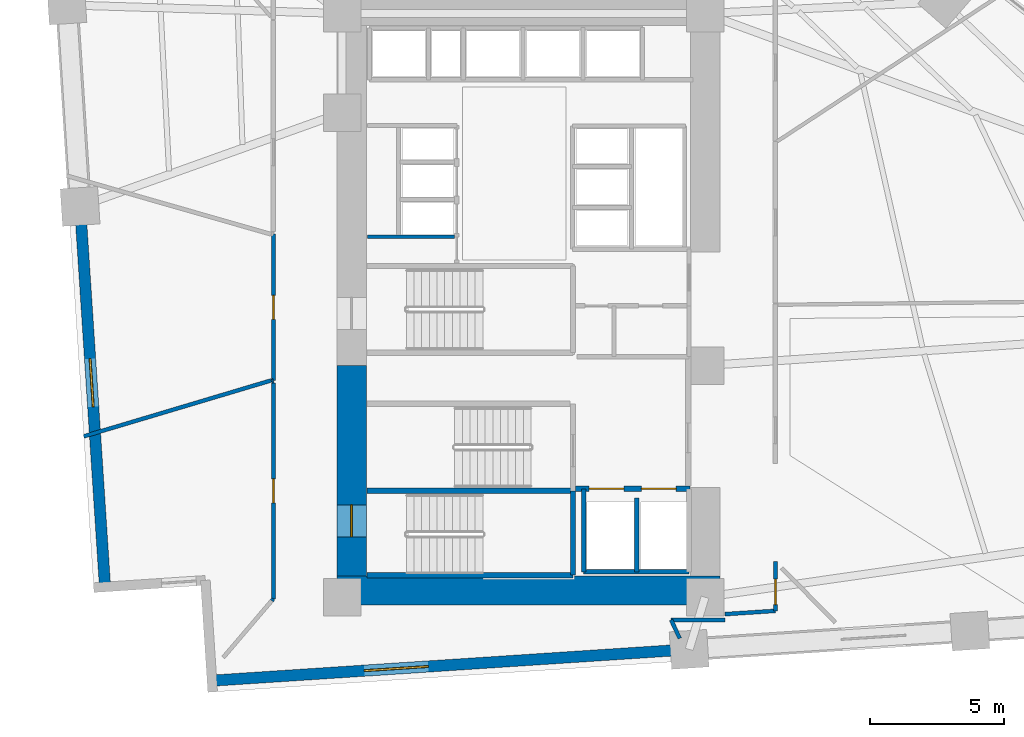
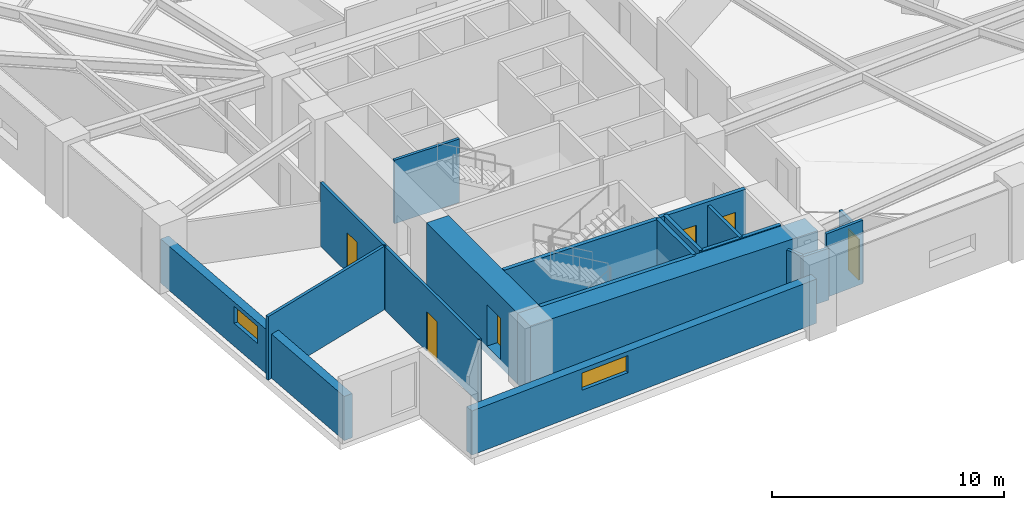
# One storey, part 12 of 17: 21 walls, 6 doors, 2 windows, 8 openings.
"""IFC4 building model written with IfcOpenShell, lengths in metres."""

from ifc_helpers import new_model, si_unit, direction, frame, frame_2d, origin, place, context, subcontext, project, spatial, rectangle, extrude, material, layer, layer_set, type_object, element, fill, save


model = new_model("IFC4")

# Units and contexts
model_context = context("Model", 3, precision=1e-05, world=origin(), true_north=direction((0.0, 1.0)))
body_context = subcontext(model_context, "Body", "Model", "MODEL_VIEW")
ifc_project = project(units=[si_unit("LENGTHUNIT", "METRE"), si_unit("AREAUNIT", "SQUARE_METRE"), si_unit("VOLUMEUNIT", "CUBIC_METRE"), si_unit("PLANEANGLEUNIT", "RADIAN"), si_unit("MASSUNIT", "GRAM", prefix="KILO")], contexts=[model_context])

# Site, building, storey
site_placement = place(None, origin())
site = spatial("IfcSite", under=ifc_project, at=site_placement, CompositionType="ELEMENT")
building_placement = place(site_placement, origin())
building = spatial("IfcBuilding", under=site, at=building_placement, Name="Narakoshi Arena Tower", CompositionType="ELEMENT")
storey_placement = place(building_placement, frame((0.0, 0.0, 63.300048828125)))
storey = spatial("IfcBuildingStorey", under=building, at=storey_placement, Name="L16", CompositionType="ELEMENT", Elevation=63.300048828125)

# Wall, opening, door
ifc_material_1 = material(Name="Concrete C60/75", Category="concrete")
ifc_layer_1 = layer(ifc_material_1, 1.10009765625)
ifc_layer_set_1 = layer_set([ifc_layer_1], Name="Concrete C60/75")
wall_type_1 = type_object("IfcWallType", Name="WL-CORE-1100", PredefinedType="SHEAR", material=ifc_layer_set_1)
wall_1_placement = place(storey_placement, frame((72.35009765625, 35.5, -0.400146484375), z_axis=(0.0, 0.0, 1.0), x_axis=(0.0, 1.0, 0.0)))
wall_1 = element("IfcWall", 1, at=wall_1_placement, inside=storey, type_object=wall_type_1, Name="L16 Central Core Shear Wall CW-APX-W", PredefinedType="SHEAR", context=body_context, shape_type="SweptSolid", body=[
    extrude(rectangle(XDim=7.85009765625, YDim=1.10009765625, at=frame_2d((3.925048828125, 0.0))), origin(), (0.0, 0.0, 1.0), 3.739990234375),
])
opening_1_placement = place(wall_1_placement, frame((1.449951171875, 0.0, 0.39990234375)))
opening_1 = element("IfcOpeningElement", 2, at=opening_1_placement, cuts=wall_1, Name="Opening D-03", PredefinedType="OPENING", context=body_context, shape_type="SweptSolid", body=[
    extrude(rectangle(XDim=1.199951171875, YDim=2.199951171875, at=frame_2d((0.60009765625, 1.10009765625))), frame((0.0, 0.56005859375, 0.0), z_axis=(0.0, -1.0, 0.0), x_axis=(1.0, 0.0, 0.0)), (0.0, 0.0, 1.0), 1.1201171875),
])
ifc_material_2 = material(Name="Painted galvanized steel", Category="steel")
door_type_1 = type_object("IfcDoorType", Name="DR-STR-1200", OperationType="NOTDEFINED", PredefinedType="USERDEFINED", material=ifc_material_2)
door_1_placement = place(opening_1_placement, frame((1.199951171875, 0.0, 0.0), z_axis=(0.0, 0.0, 1.0), x_axis=(-1.0, 0.0, 0.0)))
door_1 = element("IfcDoor", 3, at=door_1_placement, inside=storey, type_object=door_type_1, Name="DR-L16-001", ObjectType="EXITDOOR", OperationType="SINGLE_SWING_LEFT", OverallHeight=2.199951171875, OverallWidth=1.199951171875, PredefinedType="USERDEFINED", context=body_context, shape_type="SweptSolid", body=[
    extrude(rectangle(XDim=1.199951171875, YDim=2.199951171875, at=frame_2d((0.60009765625, 1.10009765625))), frame((0.0, 0.02490234375, 0.0), z_axis=(0.0, -1.0, 0.0), x_axis=(1.0, 0.0, 0.0)), (0.0, 0.0, 1.0), 0.050048828125),
])
fill(opening_1, door_1)

# Wall
wall_2_placement = place(storey_placement, frame((71.800048828125, 34.949951171875, -0.400146484375), z_axis=(0.0, 0.0, 1.0), x_axis=(1.0, 0.0, 0.0)))
element("IfcWall", 4, at=wall_2_placement, inside=storey, type_object=wall_type_1, Name="L16 Central Core Shear Wall CW-APX-S", PredefinedType="SHEAR", context=body_context, shape_type="SweptSolid", body=[
    extrude(rectangle(XDim=14.300048828125, YDim=1.10009765625, at=frame_2d((7.14990234375, 0.0))), origin(), (0.0, 0.0, 1.0), 3.739990234375),
])

# Wall, opening, window
ifc_material_3 = material(Name="Precast concrete C45/55", Category="concrete")
ifc_layer_2 = layer(ifc_material_3, 0.419921875)
ifc_layer_set_2 = layer_set([ifc_layer_2], Name="Precast concrete C45/55")
wall_type_2 = type_object("IfcWallType", Name="WL-POD-420", PredefinedType="SOLIDWALL", material=ifc_layer_set_2)
wall_3_placement = place(storey_placement, frame((67.133056640625, 31.582763671875, 0.0), z_axis=(0.0, 0.0, 1.0), x_axis=(0.997859040617, 0.065401338356, 0.0)))
wall_3 = element("IfcWall", 5, at=wall_3_placement, inside=storey, type_object=wall_type_2, Name="L16 Architectural Concrete Facade Wall LEGA-1", PredefinedType="SOLIDWALL", context=body_context, shape_type="SweptSolid", body=[
    extrude(rectangle(XDim=17.8623046875, YDim=0.419921875, at=frame_2d((8.93115234375, 0.0))), origin(), (0.0, 0.0, 1.0), 2.324951171875),
])
opening_2_placement = place(wall_3_placement, frame((5.699951171875, 0.0, 1.199951171875)))
opening_2 = element("IfcOpeningElement", 6, at=opening_2_placement, cuts=wall_3, Name="Opening WN-01", PredefinedType="OPENING", context=body_context, shape_type="SweptSolid", body=[
    extrude(rectangle(XDim=2.39990234375, YDim=0.89990234375, at=frame_2d((1.199951171875, 0.449951171875))), frame((0.0, 0.219970703125, 0.0), z_axis=(0.0, -1.0, 0.0), x_axis=(1.0, 0.0, 0.0)), (0.0, 0.0, 1.0), 0.43994140625),
])
ifc_material_4 = material(Name="Bronze-tinted low-E laminated glass", Category="glass")
window_type_1 = type_object("IfcWindowType", Name="WIN-SLT-24x09", PartitioningType="SINGLE_PANEL", PredefinedType="WINDOW", material=ifc_material_4)
window_1_placement = place(opening_2_placement, origin())
window_1 = element("IfcWindow", 7, at=window_1_placement, inside=storey, type_object=window_type_1, Name="L16 LEGA1 Horizontal Slot Window 1", OverallHeight=0.89990234375, OverallWidth=2.39990234375, PartitioningType="SINGLE_PANEL", PredefinedType="WINDOW", context=body_context, shape_type="SweptSolid", body=[
    extrude(rectangle(XDim=2.39990234375, YDim=0.89990234375, at=frame_2d((1.199951171875, 0.449951171875))), frame((0.0, 0.030029296875, 0.0), z_axis=(0.0, -1.0, 0.0), x_axis=(1.0, 0.0, 0.0)), (0.0, 0.0, 1.0), 0.06005859375),
])
fill(opening_2, window_1)

wall_4_placement = place(storey_placement, frame((62.210205078125, 49.294921875, 0.0), z_axis=(0.0, 0.0, 1.0), x_axis=(0.065396027757, -0.997859388668, 0.0)))
wall_4 = element("IfcWall", 8, at=wall_4_placement, inside=storey, type_object=wall_type_2, Name="L16 Architectural Concrete Facade Wall LEGB-3", PredefinedType="SOLIDWALL", context=body_context, shape_type="SweptSolid", body=[
    extrude(rectangle(XDim=14.242431640625, YDim=0.419921875, at=frame_2d((7.12109375, 0.0))), origin(), (0.0, 0.0, 1.0), 2.324951171875),
])
opening_3_placement = place(wall_4_placement, frame((5.699951171875, 0.0, 1.199951171875)))
opening_3 = element("IfcOpeningElement", 9, at=opening_3_placement, cuts=wall_4, Name="Opening WN-02", PredefinedType="OPENING", context=body_context, shape_type="SweptSolid", body=[
    extrude(rectangle(XDim=1.800048828125, YDim=0.89990234375, at=frame_2d((0.89990234375, 0.449951171875))), frame((0.0, 0.219970703125, 0.0), z_axis=(0.0, -1.0, 0.0), x_axis=(1.0, 0.0, 0.0)), (0.0, 0.0, 1.0), 0.43994140625),
])
window_type_2 = type_object("IfcWindowType", Name="WIN-SLT-18x09", PartitioningType="SINGLE_PANEL", PredefinedType="WINDOW", material=ifc_material_4)
window_2_placement = place(opening_3_placement, origin())
window_2 = element("IfcWindow", 10, at=window_2_placement, inside=storey, type_object=window_type_2, Name="L16 LEGB3 Horizontal Slot Window 1", OverallHeight=0.89990234375, OverallWidth=1.800048828125, PartitioningType="SINGLE_PANEL", PredefinedType="WINDOW", context=body_context, shape_type="SweptSolid", body=[
    extrude(rectangle(XDim=1.800048828125, YDim=0.89990234375, at=frame_2d((0.89990234375, 0.449951171875))), frame((0.0, 0.030029296875, 0.0), z_axis=(0.0, -1.0, 0.0), x_axis=(1.0, 0.0, 0.0)), (0.0, 0.0, 1.0), 0.06005859375),
])
fill(opening_3, window_2)

# Walls
ifc_material_5 = material(Name="Concrete C40/50", Category="concrete")
ifc_layer_3 = layer(ifc_material_5, 0.280029296875)
ifc_layer_set_3 = layer_set([ifc_layer_3], Name="Concrete C40/50")
wall_type_3 = type_object("IfcWallType", Name="WL-RISER-280", PredefinedType="PLUMBINGWALL", material=ifc_layer_set_3)
wall_5_placement = place(storey_placement, frame((83.0, 35.64990234375, 0.0), z_axis=(0.0, 0.0, 1.0), x_axis=(0.0, 1.0, 0.0)))
element("IfcWall", 11, at=wall_5_placement, inside=storey, type_object=wall_type_3, Name="L16 Core Wall FF-DIV", PredefinedType="PLUMBINGWALL", context=body_context, shape_type="SweptSolid", body=[
    extrude(rectangle(XDim=2.75, YDim=0.159912109375, at=frame_2d((1.375, 0.0))), origin(), (0.0, 0.0, 1.0), 3.33984375),
])
wall_6_placement = place(storey_placement, frame((72.949951171875, 48.159912109375, 0.0), z_axis=(0.0, 0.0, 1.0), x_axis=(1.0, 0.0, 0.0)))
element("IfcWall", 12, at=wall_6_placement, inside=storey, type_object=wall_type_3, Name="L16 Core Wall LR-S0", PredefinedType="PLUMBINGWALL", context=body_context, shape_type="SweptSolid", body=[
    extrude(rectangle(XDim=3.239990234375, YDim=0.139892578125, at=frame_2d((1.6201171875, 0.0))), origin(), (0.0, 0.0, 1.0), 3.33984375),
])
ifc_material_6 = material(Name="Concrete C50/60", Category="concrete")
ifc_layer_4 = layer(ifc_material_6, 0.35009765625)
ifc_layer_set_4 = layer_set([ifc_layer_4], Name="Concrete C50/60")
wall_type_4 = type_object("IfcWallType", Name="WL-SHAFT-350", PredefinedType="SOLIDWALL", material=ifc_layer_set_4)
for number, where, z_axis, x_axis, name in (
    (13, (72.919921875, 35.52001953125, -0.400146484375), (0.0, 0.0, 1.0), (1.0, 0.0, 0.0), "L16 Core Wall ST1-S"),
    (14, (72.919921875, 38.675048828125, -0.400146484375), (0.0, 0.0, 1.0), (1.0, 0.0, 0.0), "L16 Core Wall ST12-DIV"),
):
    element("IfcWall", number, at=place(storey_placement, frame(where, z_axis=z_axis, x_axis=x_axis)), inside=storey, type_object=wall_type_4, Name=name, PredefinedType="SOLIDWALL", context=body_context, shape_type="SweptSolid", body=[
        extrude(rectangle(XDim=7.7001953125, YDim=0.199951171875, at=frame_2d((3.85009765625, 0.0))), origin(), (0.0, 0.0, 1.0), 3.739990234375),
    ])
wall_7_placement = place(storey_placement, frame((80.6201171875, 35.52001953125, -0.400146484375), z_axis=(0.0, 0.0, 1.0), x_axis=(0.0, 1.0, 0.0)))
element("IfcWall", 15, at=wall_7_placement, inside=storey, type_object=wall_type_4, Name="L16 Core Wall ST1-E", PredefinedType="SOLIDWALL", context=body_context, shape_type="SweptSolid", body=[
    extrude(rectangle(XDim=3.155029296875, YDim=0.199951171875, at=frame_2d((1.57763671875, 0.0))), origin(), (0.0, 0.0, 1.0), 3.739990234375),
])

# Wall, openings, doors
wall_8_placement = place(storey_placement, frame((80.719970703125, 38.75, 0.0), z_axis=(0.0, 0.0, 1.0), x_axis=(1.0, 0.0, 0.0)))
wall_8 = element("IfcWall", 16, at=wall_8_placement, inside=storey, type_object=wall_type_4, Name="L16 Core Wall FF-N", PredefinedType="SOLIDWALL", context=body_context, shape_type="SweptSolid", body=[
    extrude(rectangle(XDim=4.260009765625, YDim=0.199951171875, at=frame_2d((2.1298828125, 0.0))), origin(), (0.0, 0.0, 1.0), 3.33984375),
])
opening_4_placement = place(wall_8_placement, frame((0.5, 0.0, 0.0)))
opening_4 = element("IfcOpeningElement", 17, at=opening_4_placement, cuts=wall_8, Name="Opening LD-02", PredefinedType="OPENING", context=body_context, shape_type="SweptSolid", body=[
    extrude(rectangle(XDim=1.300048828125, YDim=2.300048828125, at=frame_2d((0.64990234375, 1.14990234375))), frame((0.0, 0.10986328125, 0.0), z_axis=(0.0, -1.0, 0.0), x_axis=(1.0, 0.0, 0.0)), (0.0, 0.0, 1.0), 0.219970703125),
])
opening_5_placement = place(wall_8_placement, frame((2.449951171875, 0.0, 0.0)))
opening_5 = element("IfcOpeningElement", 18, at=opening_5_placement, cuts=wall_8, Name="Opening LD-02", PredefinedType="OPENING", context=body_context, shape_type="SweptSolid", body=[
    extrude(rectangle(XDim=1.300048828125, YDim=2.300048828125, at=frame_2d((0.64990234375, 1.14990234375))), frame((0.0, 0.10986328125, 0.0), z_axis=(0.0, -1.0, 0.0), x_axis=(1.0, 0.0, 0.0)), (0.0, 0.0, 1.0), 0.219970703125),
])
ifc_material_7 = material(Name="Brushed bronze stainless steel", Category="steel")
door_type_2 = type_object("IfcDoorType", Name="DR-LFT-1300", OperationType="DOUBLE_DOOR_SLIDING", PredefinedType="DOOR", material=ifc_material_7)
door_2_placement = place(opening_4_placement, origin())
door_2 = element("IfcDoor", 19, at=door_2_placement, inside=storey, type_object=door_type_2, Name="DR-L16-003", OperationType="DOUBLE_DOOR_SLIDING", OverallHeight=2.300048828125, OverallWidth=1.300048828125, PredefinedType="DOOR", context=body_context, shape_type="SweptSolid", body=[
    extrude(rectangle(XDim=1.300048828125, YDim=2.300048828125, at=frame_2d((0.64990234375, 1.14990234375))), frame((0.0, 0.02490234375, 0.0), z_axis=(0.0, -1.0, 0.0), x_axis=(1.0, 0.0, 0.0)), (0.0, 0.0, 1.0), 0.050048828125),
])
fill(opening_4, door_2)
door_3_placement = place(opening_5_placement, origin())
door_3 = element("IfcDoor", 20, at=door_3_placement, inside=storey, type_object=door_type_2, Name="DR-L16-004", OperationType="DOUBLE_DOOR_SLIDING", OverallHeight=2.300048828125, OverallWidth=1.300048828125, PredefinedType="DOOR", context=body_context, shape_type="SweptSolid", body=[
    extrude(rectangle(XDim=1.300048828125, YDim=2.300048828125, at=frame_2d((0.64990234375, 1.14990234375))), frame((0.0, 0.02490234375, 0.0), z_axis=(0.0, -1.0, 0.0), x_axis=(1.0, 0.0, 0.0)), (0.0, 0.0, 1.0), 0.050048828125),
])
fill(opening_5, door_3)

# Walls
wall_9_placement = place(storey_placement, frame((81.02001953125, 35.64990234375, 0.0), z_axis=(0.0, 0.0, 1.0), x_axis=(0.0, 1.0, 0.0)))
element("IfcWall", 21, at=wall_9_placement, inside=storey, type_object=wall_type_4, Name="L16 Core Wall FF-W", PredefinedType="SOLIDWALL", context=body_context, shape_type="SweptSolid", body=[
    extrude(rectangle(XDim=3.10009765625, YDim=0.179931640625, at=frame_2d((1.550048828125, 0.0))), origin(), (0.0, 0.0, 1.0), 3.33984375),
])
wall_10_placement = place(storey_placement, frame((81.02001953125, 35.64990234375, 0.0), z_axis=(0.0, 0.0, 1.0), x_axis=(1.0, 0.0, 0.0)))
element("IfcWall", 22, at=wall_10_placement, inside=storey, type_object=wall_type_4, Name="L16 Core Wall FF-S", PredefinedType="SOLIDWALL", context=body_context, shape_type="SweptSolid", body=[
    extrude(rectangle(XDim=3.929931640625, YDim=0.179931640625, at=frame_2d((1.96484375, 0.0))), origin(), (0.0, 0.0, 1.0), 3.33984375),
])

# Wall, opening, door
ifc_material_8 = material(Name="Moisture-resistant cement-board partition")
ifc_layer_5 = layer(ifc_material_8, 0.14501953125)
ifc_layer_set_5 = layer_set([ifc_layer_5], Name="Moisture-resistant cement-board partition")
wall_type_5 = type_object("IfcWallType", Name="WL-WET-145", PredefinedType="PARTITIONING", material=ifc_layer_set_5)
wall_11_placement = place(storey_placement, frame((69.427490234375, 48.2646484375, 0.0), z_axis=(0.0, 0.0, 1.0), x_axis=(0.0, -1.0, 0.0)))
wall_11 = element("IfcWall", 23, at=wall_11_placement, inside=storey, type_object=wall_type_5, Name="L16 Corridor Partition 01-1", PredefinedType="PARTITIONING", context=body_context, shape_type="SweptSolid", body=[
    extrude(rectangle(XDim=5.4794921875, YDim=0.14501953125, at=frame_2d((2.73974609375, 0.0))), origin(), (0.0, 0.0, 1.0), 3.33984375),
])
opening_6_placement = place(wall_11_placement, frame((2.289794921875, 0.0, 0.0)))
opening_6 = element("IfcOpeningElement", 24, at=opening_6_placement, cuts=wall_11, Name="Opening D-08", PredefinedType="OPENING", context=body_context, shape_type="SweptSolid", body=[
    extrude(rectangle(XDim=0.89990234375, YDim=2.10009765625, at=frame_2d((0.449951171875, 1.050048828125))), frame((0.0, 0.08251953125, 0.0), z_axis=(0.0, -1.0, 0.0), x_axis=(1.0, 0.0, 0.0)), (0.0, 0.0, 1.0), 0.1650390625),
])
ifc_material_9 = material(Name="Moisture-resistant laminate timber", Category="wood")
door_type_3 = type_object("IfcDoorType", Name="DR-WC-900", OperationType="NOTDEFINED", PredefinedType="DOOR", material=ifc_material_9)
door_4_placement = place(opening_6_placement, frame((0.89990234375, 0.0, 0.0), z_axis=(0.0, 0.0, 1.0), x_axis=(-1.0, 0.0, 0.0)))
door_4 = element("IfcDoor", 25, at=door_4_placement, inside=storey, type_object=door_type_3, Name="DR-L16-014", OperationType="SINGLE_SWING_RIGHT", OverallHeight=2.10009765625, OverallWidth=0.89990234375, PredefinedType="DOOR", context=body_context, shape_type="SweptSolid", body=[
    extrude(rectangle(XDim=0.89990234375, YDim=2.10009765625, at=frame_2d((0.449951171875, 1.050048828125))), frame((0.0, 0.02490234375, 0.0), z_axis=(0.0, -1.0, 0.0), x_axis=(1.0, 0.0, 0.0)), (0.0, 0.0, 1.0), 0.050048828125),
])
fill(opening_6, door_4)

# Walls
wall_12_placement = place(storey_placement, frame((69.427490234375, 42.78515625, 0.0), z_axis=(0.0, 0.0, 1.0), x_axis=(-0.957611740153, -0.288062068176, 0.0)))
element("IfcWall", 26, at=wall_12_placement, inside=storey, type_object=wall_type_5, Name="L16 Corridor Partition 01-2", PredefinedType="PARTITIONING", context=body_context, shape_type="SweptSolid", body=[
    extrude(rectangle(XDim=0.062744140625, YDim=0.14501953125, at=frame_2d((0.03125, 0.0))), origin(), (0.0, 0.0, 1.0), 3.33984375),
])
wall_13_placement = place(storey_placement, frame((69.343017578125, 42.794921875, 0.0), z_axis=(0.0, 0.0, 1.0), x_axis=(-0.958189050694, -0.286135882282, 0.0)))
element("IfcWall", 27, at=wall_13_placement, inside=storey, type_object=wall_type_5, Name="L16 Inter-Room Partition 01-02", PredefinedType="PARTITIONING", context=body_context, shape_type="SweptSolid", body=[
    extrude(rectangle(XDim=7.301025390625, YDim=0.14501953125, at=frame_2d((3.650390625, 0.0))), origin(), (0.0, 0.0, 1.0), 3.33984375),
])

# Wall, opening, door
wall_14_placement = place(storey_placement, frame((69.427490234375, 42.697021484375, 0.0), z_axis=(0.0, 0.0, 1.0), x_axis=(0.0, -1.0, 0.0)))
wall_14 = element("IfcWall", 28, at=wall_14_placement, inside=storey, type_object=wall_type_5, Name="L16 Corridor Partition 02-1", PredefinedType="PARTITIONING", context=body_context, shape_type="SweptSolid", body=[
    extrude(rectangle(XDim=8.0576171875, YDim=0.14501953125, at=frame_2d((4.02880859375, 0.0))), origin(), (0.0, 0.0, 1.0), 3.33984375),
])
opening_7_placement = place(wall_14_placement, frame((3.57861328125, 0.0, 0.0)))
opening_7 = element("IfcOpeningElement", 29, at=opening_7_placement, cuts=wall_14, Name="Opening D-08", PredefinedType="OPENING", context=body_context, shape_type="SweptSolid", body=[
    extrude(rectangle(XDim=0.89990234375, YDim=2.10009765625, at=frame_2d((0.449951171875, 1.050048828125))), frame((0.0, 0.08251953125, 0.0), z_axis=(0.0, -1.0, 0.0), x_axis=(1.0, 0.0, 0.0)), (0.0, 0.0, 1.0), 0.1650390625),
])
door_5_placement = place(opening_7_placement, frame((0.89990234375, 0.0, 0.0), z_axis=(0.0, 0.0, 1.0), x_axis=(-1.0, 0.0, 0.0)))
door_5 = element("IfcDoor", 30, at=door_5_placement, inside=storey, type_object=door_type_3, Name="DR-L16-015", OperationType="SINGLE_SWING_LEFT", OverallHeight=2.10009765625, OverallWidth=0.89990234375, PredefinedType="DOOR", context=body_context, shape_type="SweptSolid", body=[
    extrude(rectangle(XDim=0.89990234375, YDim=2.10009765625, at=frame_2d((0.449951171875, 1.050048828125))), frame((0.0, 0.02490234375, 0.0), z_axis=(0.0, -1.0, 0.0), x_axis=(1.0, 0.0, 0.0)), (0.0, 0.0, 1.0), 0.050048828125),
])
fill(opening_7, door_5)

# Walls
wall_15_placement = place(storey_placement, frame((69.427490234375, 34.639404296875, 0.0), z_axis=(0.0, 0.0, 1.0), x_axis=(-0.649485850124, -0.760373678193, 0.0)))
element("IfcWall", 31, at=wall_15_placement, inside=storey, type_object=wall_type_5, Name="L16 Corridor Partition 02-2", PredefinedType="PARTITIONING", context=body_context, shape_type="SweptSolid", body=[
    extrude(rectangle(XDim=0.092529296875, YDim=0.14501953125, at=frame_2d((0.04638671875, 0.0))), origin(), (0.0, 0.0, 1.0), 3.33984375),
])
wall_16_placement = place(storey_placement, frame((86.300048828125, 34.066650390625, 0.0), z_axis=(0.0, 0.0, 1.0), x_axis=(0.997860280321, 0.065382420863, 0.0)))
element("IfcWall", 32, at=wall_16_placement, inside=storey, type_object=wall_type_5, Name="L16 Corridor Partition 03-1", PredefinedType="PARTITIONING", context=body_context, shape_type="SweptSolid", body=[
    extrude(rectangle(XDim=1.8818359375, YDim=0.14501953125, at=frame_2d((0.94091796875, 0.0))), origin(), (0.0, 0.0, 1.0), 3.33984375),
])

# Wall, opening, door
wall_17_placement = place(storey_placement, frame((88.177978515625, 34.189697265625, 0.0), z_axis=(0.0, 0.0, 1.0), x_axis=(0.0, 1.0, 0.0)))
wall_17 = element("IfcWall", 33, at=wall_17_placement, inside=storey, type_object=wall_type_5, Name="L16 Corridor Partition 03-2", PredefinedType="PARTITIONING", context=body_context, shape_type="SweptSolid", body=[
    extrude(rectangle(XDim=1.841552734375, YDim=0.14501953125, at=frame_2d((0.9208984375, 0.0))), origin(), (0.0, 0.0, 1.0), 2.724853515625),
])
opening_8_placement = place(wall_17_placement, frame((0.2314453125, 0.0, 0.0)))
opening_8 = element("IfcOpeningElement", 34, at=opening_8_placement, cuts=wall_17, Name="Opening D-07", PredefinedType="OPENING", context=body_context, shape_type="SweptSolid", body=[
    extrude(rectangle(XDim=0.949951171875, YDim=2.14990234375, at=frame_2d((0.47509765625, 1.074951171875))), frame((0.0, 0.08251953125, 0.0), z_axis=(0.0, -1.0, 0.0), x_axis=(1.0, 0.0, 0.0)), (0.0, 0.0, 1.0), 0.1650390625),
])
ifc_material_10 = material(Name="Stained oak solid-core timber", Category="wood")
door_type_4 = type_object("IfcDoorType", Name="DR-ACC-950", OperationType="NOTDEFINED", PredefinedType="DOOR", material=ifc_material_10)
door_6_placement = place(opening_8_placement, frame((0.949951171875, 0.0, 0.0), z_axis=(0.0, 0.0, 1.0), x_axis=(-1.0, 0.0, 0.0)))
door_6 = element("IfcDoor", 35, at=door_6_placement, inside=storey, type_object=door_type_4, Name="DR-L16-016", OperationType="SINGLE_SWING_LEFT", OverallHeight=2.14990234375, OverallWidth=0.949951171875, PredefinedType="DOOR", context=body_context, shape_type="SweptSolid", body=[
    extrude(rectangle(XDim=0.949951171875, YDim=2.14990234375, at=frame_2d((0.47509765625, 1.074951171875))), frame((0.0, 0.02490234375, 0.0), z_axis=(0.0, -1.0, 0.0), x_axis=(1.0, 0.0, 0.0)), (0.0, 0.0, 1.0), 0.050048828125),
])
fill(opening_8, door_6)

# Walls
wall_18_placement = place(storey_placement, frame((84.606201171875, 33.15869140625, 0.0), z_axis=(0.0, 0.0, 1.0), x_axis=(-0.421938848162, 0.906624292864, 0.0)))
element("IfcWall", 36, at=wall_18_placement, inside=storey, type_object=wall_type_5, Name="L16 Room Enclosure Partition 03-2", PredefinedType="PARTITIONING", context=body_context, shape_type="SweptSolid", body=[
    extrude(rectangle(XDim=0.7626953125, YDim=0.14501953125, at=frame_2d((0.38134765625, 0.0))), origin(), (0.0, 0.0, 1.0), 3.33984375),
])
wall_19_placement = place(storey_placement, frame((84.284423828125, 33.85009765625, 0.0), z_axis=(0.0, 0.0, 1.0), x_axis=(1.0, 0.0, 0.0)))
element("IfcWall", 37, at=wall_19_placement, inside=storey, type_object=wall_type_5, Name="L16 Room Enclosure Partition 03-3", PredefinedType="PARTITIONING", context=body_context, shape_type="SweptSolid", body=[
    extrude(rectangle(XDim=2.015625, YDim=0.14501953125, at=frame_2d((1.0078125, 0.0))), origin(), (0.0, 0.0, 1.0), 2.724853515625),
])

save(model, "model.ifc")
